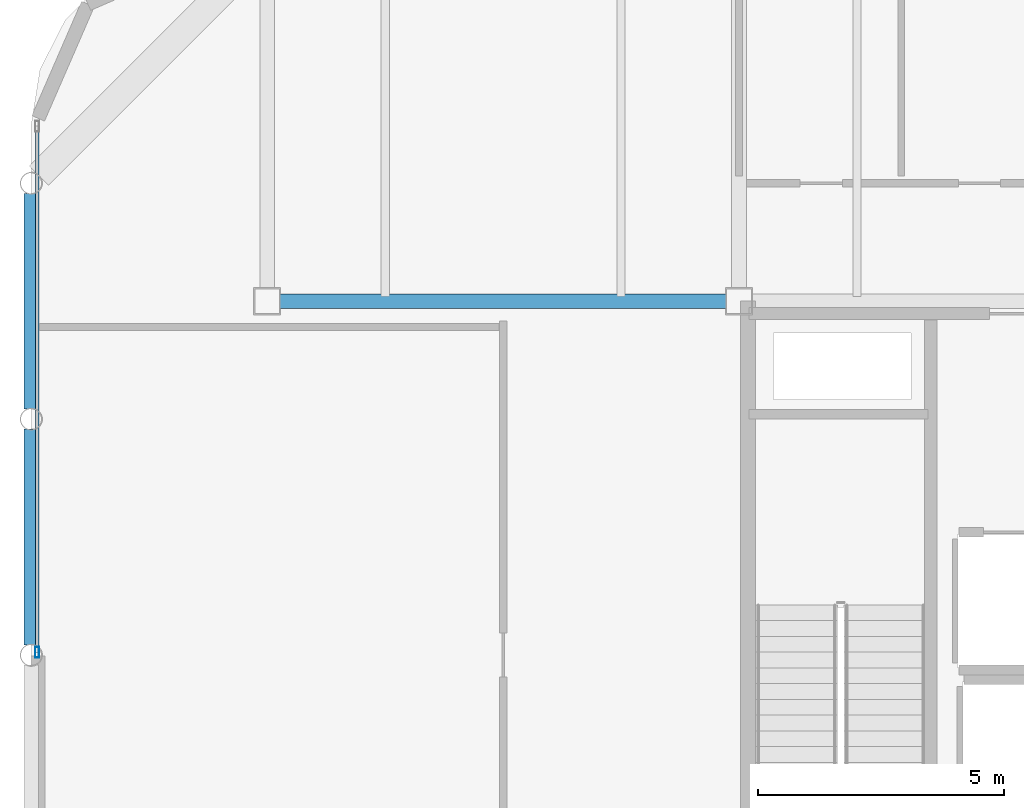
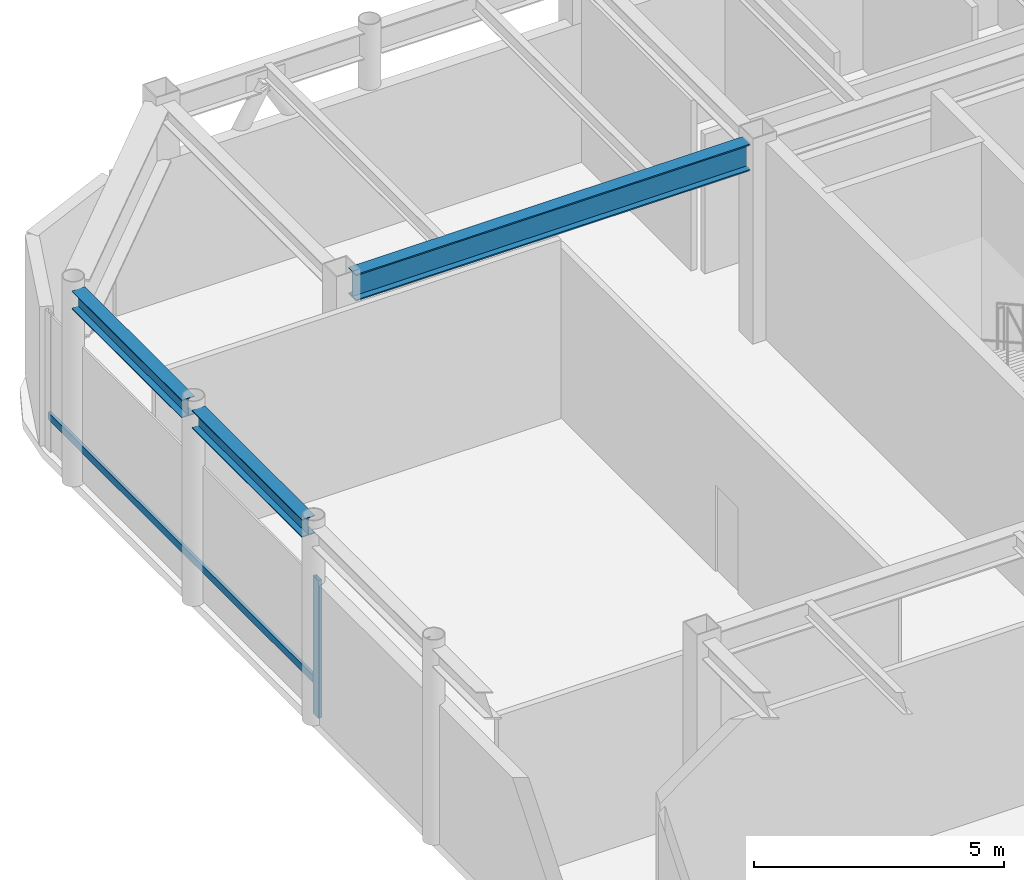
# One storey, part 7 of 21: 3 beams, 2 members, 1 element without a shape of its own.
"""IFC4 building model written with IfcOpenShell, lengths in metres."""

from ifc_helpers import new_model, si_unit, direction, frame, origin, origin_2d, place, context, subcontext, project, spatial, hollow_rectangle, i_section, extrude, material, layer, layer_set, material_profile, profile_set, type_object, element, aggregate, save


model = new_model("IFC4")

# Units and contexts
model_context = context("Model", 3, precision=1e-05, world=origin(), true_north=direction((0.0, 1.0)))
body_context = subcontext(model_context, "Body", "Model", "MODEL_VIEW")
ifc_project = project(units=[si_unit("LENGTHUNIT", "METRE"), si_unit("AREAUNIT", "SQUARE_METRE"), si_unit("VOLUMEUNIT", "CUBIC_METRE"), si_unit("PLANEANGLEUNIT", "RADIAN"), si_unit("MASSUNIT", "GRAM", prefix="KILO")], contexts=[model_context])

# Site, building, storey
site_placement = place(None, origin())
site = spatial("IfcSite", under=ifc_project, at=site_placement, CompositionType="ELEMENT")
building_placement = place(site_placement, origin())
building = spatial("IfcBuilding", under=site, at=building_placement, Name="Kallvorn Hotel Tower", CompositionType="ELEMENT")
storey_placement = place(building_placement, frame((0.0, 0.0, 295.60009765625)))
storey = spatial("IfcBuildingStorey", under=building, at=storey_placement, Name="L73", CompositionType="ELEMENT", Elevation=295.60009765625)

# Beams
ifc_material_1 = material(Name="Structural steel S355JR", Category="steel")
ifc_material_profile_1 = material_profile(ifc_material_1, i_section(OverallWidth=0.300048828125, OverallDepth=0.43994140625, WebThickness=0.011474609375, FlangeThickness=0.02099609375, at=origin_2d()), Name="HE 450 A")
ifc_profile_set_1 = profile_set([ifc_material_profile_1], Name="Structural steel S355JR")
beam_type_1 = type_object("IfcBeamType", Name="BM_HE450A", PredefinedType="BEAM", material=ifc_profile_set_1)
beam_1_placement = place(storey_placement, frame((-28.800048828125, 0.20361328125, 4.579833984375), z_axis=(0.0, 1.0, 0.0), x_axis=(-1.0, 0.0, 0.0)))
element("IfcBeam", 1, at=beam_1_placement, inside=storey, type_object=beam_type_1, Name="L74 Primary Y-Girder 29", PredefinedType="BEAM", context=body_context, shape_type="SweptSolid", body=[
    extrude(i_section(OverallWidth=0.300048828125, OverallDepth=0.43994140625, WebThickness=0.011474609375, FlangeThickness=0.02099609375, at=origin_2d()), origin(), (0.0, 0.0, 1.0), 4.392822265625),
])
beam_2_placement = place(storey_placement, frame((-28.800048828125, 5.00341796875, 4.579833984375), z_axis=(0.0, 1.0, 0.0), x_axis=(-1.0, 0.0, 0.0)))
element("IfcBeam", 2, at=beam_2_placement, inside=storey, type_object=beam_type_1, Name="L74 Primary Y-Girder 30", PredefinedType="BEAM", context=body_context, shape_type="SweptSolid", body=[
    extrude(i_section(OverallWidth=0.300048828125, OverallDepth=0.43994140625, WebThickness=0.011474609375, FlangeThickness=0.02099609375, at=origin_2d()), origin(), (0.0, 0.0, 1.0), 4.39306640625),
])
ifc_material_2 = material(Name="Structural steel S355JR", Category="steel")
ifc_material_profile_2 = material_profile(ifc_material_2, i_section(OverallWidth=0.300048828125, OverallDepth=0.64990234375, WebThickness=0.01611328125, FlangeThickness=0.031005859375, at=origin_2d()), Name="HE 650 B")
ifc_profile_set_2 = profile_set([ifc_material_profile_2], Name="Structural steel S355JR")
beam_type_2 = type_object("IfcBeamType", Name="BM_HE650B", PredefinedType="BEAM", material=ifc_profile_set_2)
beam_3_placement = place(storey_placement, frame((-23.75, 7.199951171875, 4.474853515625), z_axis=(1.0, 0.0, 0.0), x_axis=(0.0, 1.0, 0.0)))
element("IfcBeam", 3, at=beam_3_placement, inside=storey, type_object=beam_type_2, Name="L74 Primary X-Girder 11", PredefinedType="BEAM", context=body_context, shape_type="SweptSolid", body=[
    extrude(i_section(OverallWidth=0.300048828125, OverallDepth=0.64990234375, WebThickness=0.01611328125, FlangeThickness=0.031005859375, at=origin_2d()), origin(), (0.0, 0.0, 1.0), 9.10009765625),
])

# Curtain wall, members
ifc_material_3 = material(Name="Thermally broken black-anodised aluminium AA 6063-T6", Category="aluminium")
ifc_layer = layer(ifc_material_3, 0.25)
ifc_layer_set = layer_set([ifc_layer], Name="CW_SYS_6_SUMMIT_OBS")
curtain_wall_type = type_object("IfcCurtainWallType", Name="CW_SYS_6_SUMMIT_OBS", PredefinedType="USERDEFINED", material=ifc_layer_set)
curtain_wall_placement = place(storey_placement, origin())
curtain_wall = element("IfcCurtainWall", 4, at=curtain_wall_placement, inside=storey, type_object=curtain_wall_type, Name="L73 Dark-Glass Curtain Wall CW-L73-WN", ObjectType="UNITISED CURTAIN WALL", PredefinedType="USERDEFINED")
ifc_material_4 = material(Name="Thermally broken black-anodised aluminium AA 6063-T6", Category="aluminium")
ifc_material_profile_3 = material_profile(ifc_material_4, hollow_rectangle(XDim=0.080078125, YDim=0.219970703125, WallThickness=0.0048828125, at=origin_2d()), Name="MUL 220x80")
ifc_profile_set_3 = profile_set([ifc_material_profile_3], Name="Thermally broken black-anodised aluminium AA 6063-T6")
member_type_1 = type_object("IfcMemberType", Name="CW_MULLION_220x80", PredefinedType="MULLION", material=ifc_profile_set_3)
member_1_placement = place(storey_placement, frame((-28.679931640625, 0.06005859375, 0.02001953125), z_axis=(0.0, 0.0, 1.0), x_axis=(1.0, 0.0, 0.0)))
member_1 = element("IfcMember", 5, at=member_1_placement, type_object=member_type_1, Name="CW-L73-WN Mullion 00", PredefinedType="MULLION", context=body_context, shape_type="SweptSolid", body=[
    extrude(hollow_rectangle(XDim=0.080078125, YDim=0.219970703125, WallThickness=0.0048828125, at=origin_2d()), origin(), (0.0, 0.0, 1.0), 3.35986328125),
])
ifc_material_5 = material(Name="Thermally broken black-anodised aluminium AA 6063-T6", Category="aluminium")
ifc_material_profile_4 = material_profile(ifc_material_5, hollow_rectangle(XDim=0.070068359375, YDim=0.179931640625, WallThickness=0.00390625, at=origin_2d()), Name="TRN 180x70")
ifc_profile_set_4 = profile_set([ifc_material_profile_4], Name="Thermally broken black-anodised aluminium AA 6063-T6")
member_type_2 = type_object("IfcMemberType", Name="CW_TRANSOM_180x70", PredefinedType="USERDEFINED", material=ifc_profile_set_4)
member_2_placement = place(storey_placement, frame((-28.679931640625, 0.06005859375, 0.849853515625), z_axis=(0.0, 1.0, 0.0), x_axis=(-1.0, 0.0, 0.0)))
member_2 = element("IfcMember", 6, at=member_2_placement, type_object=member_type_2, Name="CW-L73-WN Transom 00M", ObjectType="TRANSOM", PredefinedType="USERDEFINED", context=body_context, shape_type="SweptSolid", body=[
    extrude(hollow_rectangle(XDim=0.070068359375, YDim=0.179931640625, WallThickness=0.00390625, at=origin_2d()), origin(), (0.0, 0.0, 1.0), 10.699951171875),
])
aggregate(curtain_wall, [member_1, member_2])

save(model, "model.ifc")
